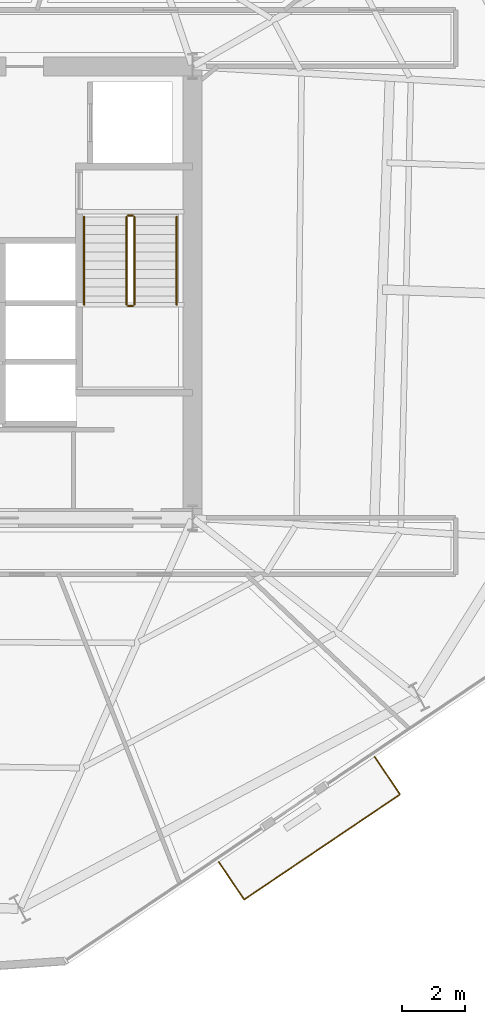
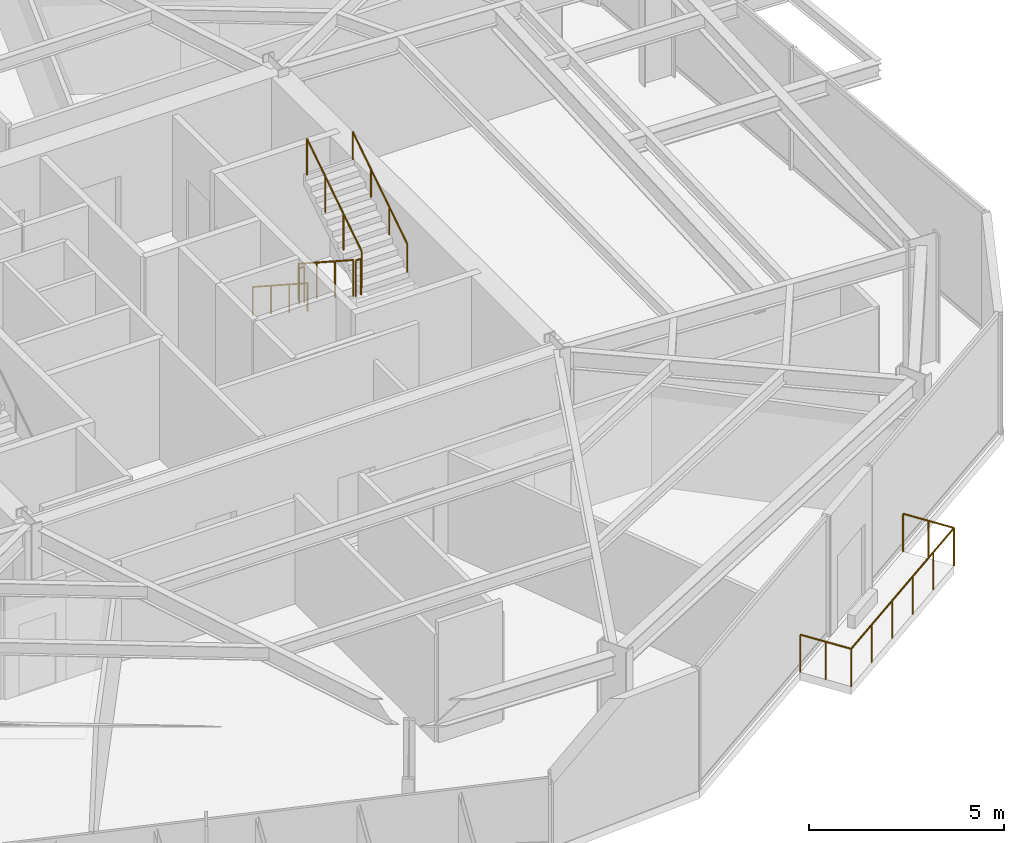
# One storey, part 13 of 14: 7 railings.
"""IFC4 building model written with IfcOpenShell, lengths in metres."""

from ifc_helpers import new_model, si_unit, direction, frame, origin, origin_2d, place, context, subcontext, project, spatial, circle, extrude, material, type_object, element, save


model = new_model("IFC4")

# Units and contexts
model_context = context("Model", 3, precision=1e-05, world=origin(), true_north=direction((0.0, 1.0)))
body_context = subcontext(model_context, "Body", "Model", "MODEL_VIEW")
ifc_project = project(units=[si_unit("LENGTHUNIT", "METRE"), si_unit("AREAUNIT", "SQUARE_METRE"), si_unit("VOLUMEUNIT", "CUBIC_METRE"), si_unit("PLANEANGLEUNIT", "RADIAN"), si_unit("MASSUNIT", "GRAM", prefix="KILO")], contexts=[model_context])

# Site, building, storey
site_placement = place(None, origin())
site = spatial("IfcSite", under=ifc_project, at=site_placement, CompositionType="ELEMENT")
building_placement = place(site_placement, origin())
building = spatial("IfcBuilding", under=site, at=building_placement, Name="Kranzbogen Civic Tower", CompositionType="ELEMENT")
storey_placement = place(building_placement, frame((0.0, 0.0, 158.39990234375)))
storey = spatial("IfcBuildingStorey", under=building, at=storey_placement, Name="L38", CompositionType="ELEMENT", Elevation=158.39990234375)

# Railings
ifc_material_1 = material(Name="Anodised Bronze Aluminium", Category="aluminium")
railing_type_1 = type_object("IfcRailingType", Name="Cantilevered Balcony Glass and Bronze Balustrade 1200", PredefinedType="BALUSTRADE", material=ifc_material_1)
railing_1_placement = place(storey_placement, frame((33.64111328125, 6.824951171875, 0.0)))
element("IfcRailing", 1, at=railing_1_placement, inside=storey, type_object=railing_type_1, Name="L38 exterior terrace balustrade L38-TB1", PredefinedType="BALUSTRADE", context=body_context, shape_type="SweptSolid", body=[
    extrude(circle(Radius=0.02392578125, at=origin_2d()), frame((0.0, 0.0, 1.17578125), z_axis=(0.559238569621, -0.829006768517, 0.0), x_axis=(0.829006768517, 0.559238569621, 0.0)), (0.0, 0.0, 1.0), 1.44970703125),
    extrude(circle(Radius=0.02392578125, at=origin_2d()), frame((0.810791015625, -1.201904296875, 1.17578125), z_axis=(0.829045807101, 0.559180695061, 0.0), x_axis=(-0.559180695061, 0.829045807101, 0.0)), (0.0, 0.0, 1.0), 5.999755859375),
    extrude(circle(Radius=0.02392578125, at=origin_2d()), frame((5.784912109375, 2.153076171875, 1.17578125), z_axis=(-0.559354282859, 0.828928697927, 0.0), x_axis=(-0.828928697927, -0.559354282859, 0.0)), (0.0, 0.0, 1.0), 1.449951171875),
    extrude(circle(Radius=0.02099609375, at=origin_2d()), origin(), (0.0, 0.0, 1.0), 1.15185546875),
    extrude(circle(Radius=0.02099609375, at=origin_2d()), frame((0.4052734375, -0.60107421875, 0.0)), (0.0, 0.0, 1.0), 1.15185546875),
    extrude(circle(Radius=0.02099609375, at=origin_2d()), frame((0.810791015625, -1.201904296875, 0.0)), (0.0, 0.0, 1.0), 1.15185546875),
    extrude(circle(Radius=0.02099609375, at=origin_2d()), frame((1.8056640625, -0.531005859375, 0.0)), (0.0, 0.0, 1.0), 1.15185546875),
    extrude(circle(Radius=0.02099609375, at=origin_2d()), frame((2.800537109375, 0.14013671875, 0.0)), (0.0, 0.0, 1.0), 1.15185546875),
    extrude(circle(Radius=0.02099609375, at=origin_2d()), frame((3.795166015625, 0.81103515625, 0.0)), (0.0, 0.0, 1.0), 1.15185546875),
    extrude(circle(Radius=0.02099609375, at=origin_2d()), frame((4.7900390625, 1.482177734375, 0.0)), (0.0, 0.0, 1.0), 1.15185546875),
    extrude(circle(Radius=0.02099609375, at=origin_2d()), frame((5.784912109375, 2.153076171875, 0.0)), (0.0, 0.0, 1.0), 1.15185546875),
    extrude(circle(Radius=0.02099609375, at=origin_2d()), frame((5.37939453125, 2.75390625, 0.0)), (0.0, 0.0, 1.0), 1.15185546875),
    extrude(circle(Radius=0.02099609375, at=origin_2d()), frame((4.973876953125, 3.35498046875, 0.0)), (0.0, 0.0, 1.0), 1.15185546875),
])
ifc_material_2 = material(Name="Steel S355", Category="steel")
railing_type_2 = type_object("IfcRailingType", Name="Internal Stair and Void Steel Guardrail 1150", PredefinedType="GUARDRAIL", material=ifc_material_2)
railing_2_placement = place(storey_placement, frame((30.699951171875, 27.39990234375, 0.181884765625)))
element("IfcRailing", 2, at=railing_2_placement, inside=storey, type_object=railing_type_2, Name="L38 ST-T2 stair guard 1", PredefinedType="GUARDRAIL", context=body_context, shape_type="SweptSolid", body=[
    extrude(circle(Radius=0.02392578125, at=origin_2d()), frame((0.0, 0.0, 1.1259765625), z_axis=(0.0, -0.83868413941, 0.544618136222), x_axis=(1.0, 0.0, 0.0)), (0.0, 0.0, 1.0), 3.33837890625),
    extrude(circle(Radius=0.02099609375, at=origin_2d()), origin(), (0.0, 0.0, 1.0), 1.101806640625),
    extrude(circle(Radius=0.02099609375, at=origin_2d()), frame((0.0, -0.933349609375, 0.60595703125)), (0.0, 0.0, 1.0), 1.101806640625),
    extrude(circle(Radius=0.02099609375, at=origin_2d()), frame((0.0, -1.866455078125, 1.212158203125)), (0.0, 0.0, 1.0), 1.101806640625),
    extrude(circle(Radius=0.02099609375, at=origin_2d()), frame((0.0, -2.7998046875, 1.818115234375)), (0.0, 0.0, 1.0), 1.101806640625),
])
railing_3_placement = place(storey_placement, frame((30.75, 24.550048828125, 2.0)))
element("IfcRailing", 3, at=railing_3_placement, inside=storey, type_object=railing_type_2, Name="L38 ST-T2 stair guard 2", PredefinedType="GUARDRAIL", context=body_context, shape_type="SweptSolid", body=[
    extrude(circle(Radius=0.02392578125, at=origin_2d()), frame((0.0, 0.0, 1.1259765625), z_axis=(1.0, 0.0, 0.0), x_axis=(0.0, 1.0, 0.0)), (0.0, 0.0, 1.0), 0.14990234375),
    extrude(circle(Radius=0.02099609375, at=origin_2d()), origin(), (0.0, 0.0, 1.0), 1.101806640625),
    extrude(circle(Radius=0.02099609375, at=origin_2d()), frame((0.14990234375, 0.0, 0.0)), (0.0, 0.0, 1.0), 1.101806640625),
])
railing_4_placement = place(storey_placement, frame((30.949951171875, 24.60009765625, 2.181884765625)))
element("IfcRailing", 4, at=railing_4_placement, inside=storey, type_object=railing_type_2, Name="L38 ST-T2 stair guard 3", PredefinedType="GUARDRAIL", context=body_context, shape_type="SweptSolid", body=[
    extrude(circle(Radius=0.02392578125, at=origin_2d()), frame((0.0, 0.0, 1.1259765625), z_axis=(0.0, 0.83868413941, 0.544618136222), x_axis=(-1.0, 0.0, 0.0)), (0.0, 0.0, 1.0), 3.33837890625),
    extrude(circle(Radius=0.02099609375, at=origin_2d()), origin(), (0.0, 0.0, 1.0), 1.101806640625),
    extrude(circle(Radius=0.02099609375, at=origin_2d()), frame((0.0, 0.933349609375, 0.60595703125)), (0.0, 0.0, 1.0), 1.101806640625),
    extrude(circle(Radius=0.02099609375, at=origin_2d()), frame((0.0, 1.866455078125, 1.212158203125)), (0.0, 0.0, 1.0), 1.101806640625),
    extrude(circle(Radius=0.02099609375, at=origin_2d()), frame((0.0, 2.7998046875, 1.818115234375)), (0.0, 0.0, 1.0), 1.101806640625),
])
railing_5_placement = place(storey_placement, frame((30.75, 27.449951171875, 0.0)))
element("IfcRailing", 5, at=railing_5_placement, inside=storey, type_object=railing_type_2, Name="L38 ST-T2 stair guard 4", PredefinedType="GUARDRAIL", context=body_context, shape_type="SweptSolid", body=[
    extrude(circle(Radius=0.02392578125, at=origin_2d()), frame((0.0, 0.0, 1.1259765625), z_axis=(1.0, 0.0, 0.0), x_axis=(0.0, 1.0, 0.0)), (0.0, 0.0, 1.0), 0.14990234375),
    extrude(circle(Radius=0.02099609375, at=origin_2d()), origin(), (0.0, 0.0, 1.0), 1.101806640625),
    extrude(circle(Radius=0.02099609375, at=origin_2d()), frame((0.14990234375, 0.0, 0.0)), (0.0, 0.0, 1.0), 1.101806640625),
])
ifc_material_3 = material(Name="Pale Anodised Aluminium", Category="aluminium")
railing_type_3 = type_object("IfcRailingType", Name="Tubular Stainless Stair Wall Handrail 900", PredefinedType="HANDRAIL", material=ifc_material_3)
railing_6_placement = place(storey_placement, frame((29.35009765625, 27.39990234375, 0.181884765625)))
element("IfcRailing", 6, at=railing_6_placement, inside=storey, type_object=railing_type_3, Name="L38 ST-T2 stair handrail 1", PredefinedType="HANDRAIL", context=body_context, shape_type="SweptSolid", body=[
    extrude(circle(Radius=0.02392578125, at=origin_2d()), frame((0.0, 0.0, 0.8759765625), z_axis=(0.0, -0.83868413941, 0.544618136222), x_axis=(1.0, 0.0, 0.0)), (0.0, 0.0, 1.0), 3.33837890625),
    extrude(circle(Radius=0.02099609375, at=origin_2d()), origin(), (0.0, 0.0, 1.0), 0.851806640625),
    extrude(circle(Radius=0.02099609375, at=origin_2d()), frame((0.0, -0.933349609375, 0.60595703125)), (0.0, 0.0, 1.0), 0.851806640625),
    extrude(circle(Radius=0.02099609375, at=origin_2d()), frame((0.0, -1.866455078125, 1.212158203125)), (0.0, 0.0, 1.0), 0.851806640625),
    extrude(circle(Radius=0.02099609375, at=origin_2d()), frame((0.0, -2.7998046875, 1.818115234375)), (0.0, 0.0, 1.0), 0.851806640625),
])
railing_7_placement = place(storey_placement, frame((32.300048828125, 24.60009765625, 2.181884765625)))
element("IfcRailing", 7, at=railing_7_placement, inside=storey, type_object=railing_type_3, Name="L38 ST-T2 stair handrail 2", PredefinedType="HANDRAIL", context=body_context, shape_type="SweptSolid", body=[
    extrude(circle(Radius=0.02392578125, at=origin_2d()), frame((0.0, 0.0, 0.8759765625), z_axis=(0.0, 0.83868413941, 0.544618136222), x_axis=(-1.0, 0.0, 0.0)), (0.0, 0.0, 1.0), 3.33837890625),
    extrude(circle(Radius=0.02099609375, at=origin_2d()), origin(), (0.0, 0.0, 1.0), 0.851806640625),
    extrude(circle(Radius=0.02099609375, at=origin_2d()), frame((0.0, 0.933349609375, 0.60595703125)), (0.0, 0.0, 1.0), 0.851806640625),
    extrude(circle(Radius=0.02099609375, at=origin_2d()), frame((0.0, 1.866455078125, 1.212158203125)), (0.0, 0.0, 1.0), 0.851806640625),
    extrude(circle(Radius=0.02099609375, at=origin_2d()), frame((0.0, 2.7998046875, 1.818115234375)), (0.0, 0.0, 1.0), 0.851806640625),
])

save(model, "model.ifc")
